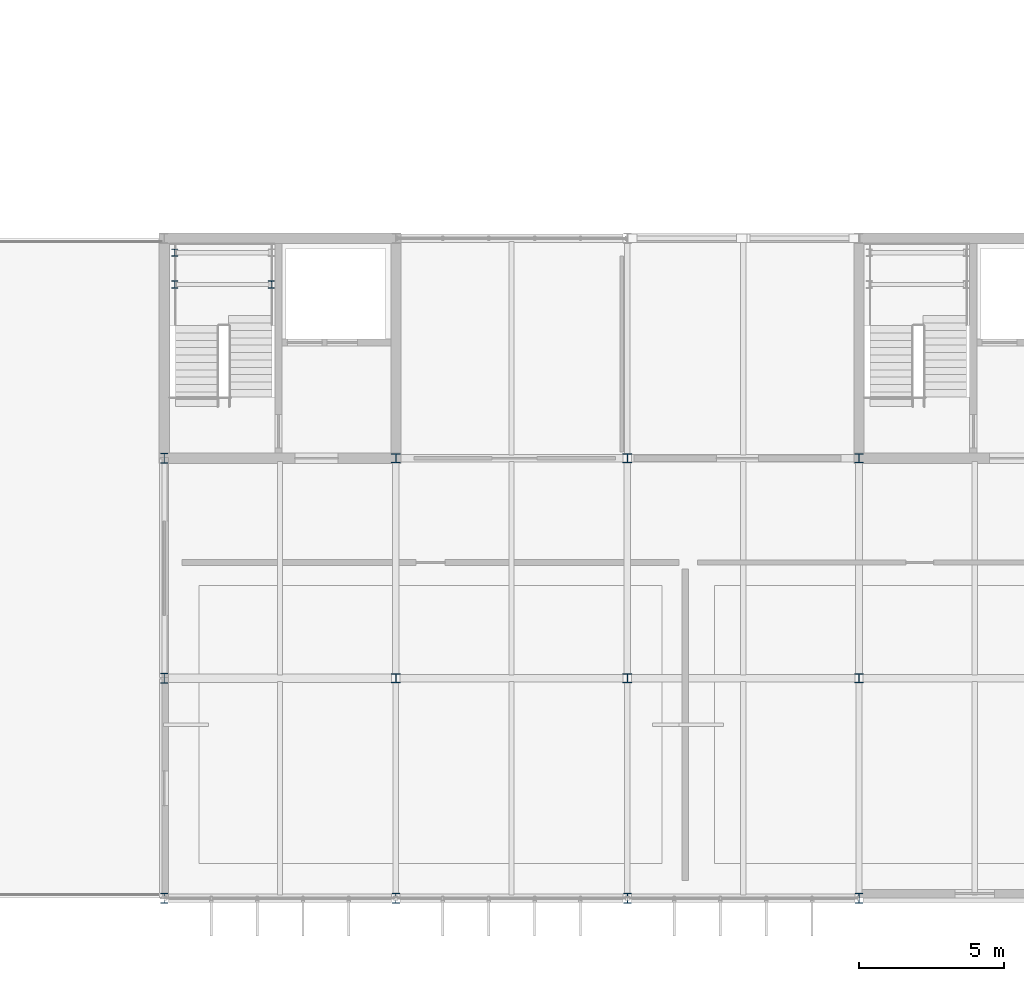
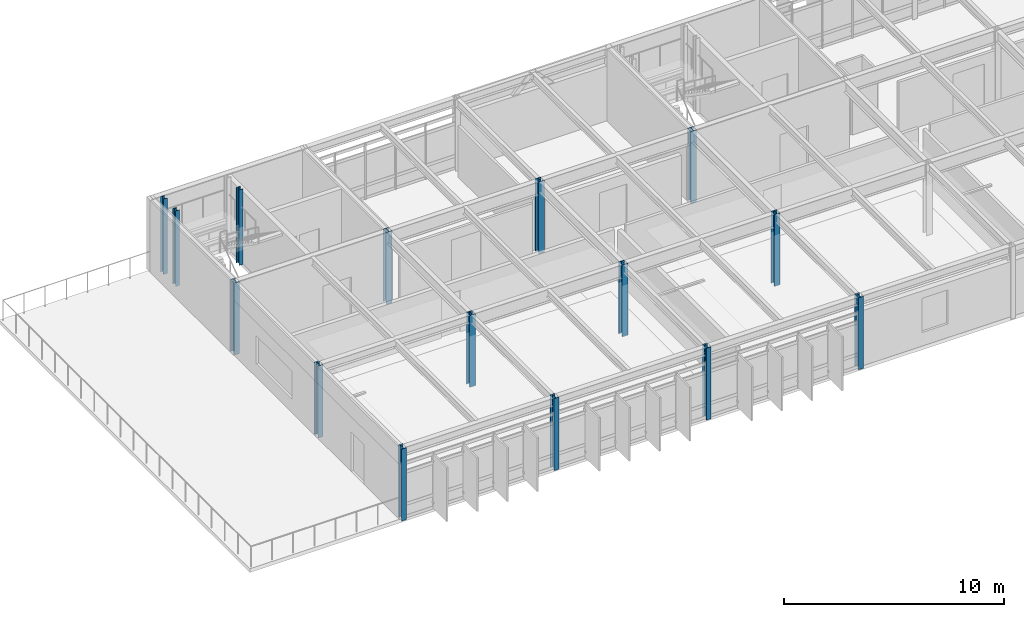
# One storey, part 1 of 21: 15 columns.
"""IFC4 building model written with IfcOpenShell, lengths in metres."""

from ifc_helpers import new_model, si_unit, direction, frame, origin, origin_2d, place, context, subcontext, project, spatial, i_section, extrude, material, material_profile, profile_set, type_object, element, save


model = new_model("IFC4")

# Units and contexts
model_context = context("Model", 3, precision=1e-05, world=origin(), true_north=direction((0.0, 1.0)))
body_context = subcontext(model_context, "Body", "Model", "MODEL_VIEW")
ifc_project = project(units=[si_unit("LENGTHUNIT", "METRE"), si_unit("AREAUNIT", "SQUARE_METRE"), si_unit("VOLUMEUNIT", "CUBIC_METRE"), si_unit("PLANEANGLEUNIT", "RADIAN"), si_unit("MASSUNIT", "GRAM", prefix="KILO")], contexts=[model_context])

# Site, building, storey
site_placement = place(None, origin())
site = spatial("IfcSite", under=ifc_project, at=site_placement, CompositionType="ELEMENT")
building_placement = place(site_placement, origin())
building = spatial("IfcBuilding", under=site, at=building_placement, Name="Zulena Civic Courthouse", CompositionType="ELEMENT")
storey_placement = place(building_placement, frame((0.0, 0.0, 37.800048828125)))
storey = spatial("IfcBuildingStorey", under=building, at=storey_placement, Name="L08", CompositionType="ELEMENT", Elevation=37.800048828125)

# Columns
ifc_material = material(Name="Steel ASTM A992 Grade 50", Category="steel")
ifc_material_profile_1 = material_profile(ifc_material, i_section(OverallWidth=0.2041015625, OverallDepth=0.257080078125, WebThickness=0.0087890625, FlangeThickness=0.015625, FilletRadius=0.0126953125, at=origin_2d()), Name="W10X45")
ifc_profile_set_1 = profile_set([ifc_material_profile_1], Name="Steel ASTM A992 Grade 50")
column_type_1 = type_object("IfcColumnType", Name="Col_W10X45", PredefinedType="COLUMN", material=ifc_profile_set_1)
for number, where, z_axis, x_axis, name in (
    (1, (20.360107421875, 21.199951171875, 0.0), (0.0, 0.0, 1.0), (1.0, 0.0, 0.0), "col:lnd:K2A:L08:0:0"),
    (2, (23.699951171875, 21.199951171875, 0.0), (0.0, 0.0, 1.0), (1.0, 0.0, 0.0), "col:lnd:K2A:L08:0:1"),
    (3, (20.360107421875, 22.300048828125, 0.0), (0.0, 0.0, 1.0), (1.0, 0.0, 0.0), "col:lnd:K2A:L08:1:0"),
):
    element("IfcColumn", number, at=place(storey_placement, frame(where, z_axis=z_axis, x_axis=x_axis)), inside=storey, type_object=column_type_1, Name=name, PredefinedType="COLUMN", context=body_context, shape_type="SweptSolid", body=[
        extrude(i_section(OverallWidth=0.2041015625, OverallDepth=0.257080078125, WebThickness=0.0087890625, FlangeThickness=0.015625, FilletRadius=0.0126953125, at=origin_2d()), origin(), (0.0, 0.0, 1.0), 4.195068359375),
    ])
ifc_material_profile_2 = material_profile(ifc_material, i_section(OverallWidth=0.306884765625, OverallDepth=0.31396484375, WebThickness=0.011962890625, FlangeThickness=0.018798828125, FilletRadius=0.01513671875, at=origin_2d()), Name="W12X79")
ifc_profile_set_2 = profile_set([ifc_material_profile_2], Name="Steel ASTM A992 Grade 50")
column_type_2 = type_object("IfcColumnType", Name="Col_W12X79", PredefinedType="COLUMN", material=ifc_profile_set_2)
for number, where, z_axis, x_axis, name in (
    (4, (28.0, 7.60009765625, 0.0), (0.0, 0.0, 1.0), (1.0, 0.0, 0.0), "col:V2:L08:28.0:7.6"),
    (5, (28.0, 15.199951171875, 0.0), (0.0, 0.0, 1.0), (1.0, 0.0, 0.0), "col:V2:L08:28.0:15.2"),
    (6, (36.0, 7.60009765625, 0.0), (0.0, 0.0, 1.0), (1.0, 0.0, 0.0), "col:V2:L08:36.0:7.6"),
    (7, (36.0, 15.199951171875, 0.0), (0.0, 0.0, 1.0), (1.0, 0.0, 0.0), "col:V2:L08:36.0:15.2"),
    (8, (44.0, 7.60009765625, 0.0), (0.0, 0.0, 1.0), (1.0, 0.0, 0.0), "col:V2:L08:44.0:7.6"),
    (9, (44.0, 15.199951171875, 0.0), (0.0, 0.0, 1.0), (1.0, 0.0, 0.0), "col:V2:L08:44.0:15.2"),
):
    element("IfcColumn", number, at=place(storey_placement, frame(where, z_axis=z_axis, x_axis=x_axis)), inside=storey, type_object=column_type_2, Name=name, PredefinedType="COLUMN", context=body_context, shape_type="SweptSolid", body=[
        extrude(i_section(OverallWidth=0.306884765625, OverallDepth=0.31396484375, WebThickness=0.011962890625, FlangeThickness=0.018798828125, FilletRadius=0.01513671875, at=origin_2d()), origin(), (0.0, 0.0, 1.0), 4.0),
    ])
ifc_material_profile_3 = material_profile(ifc_material, i_section(OverallWidth=0.2548828125, OverallDepth=0.35693359375, WebThickness=0.010498046875, FlangeThickness=0.018310546875, FilletRadius=0.01513671875, at=origin_2d()), Name="W14X68")
ifc_profile_set_3 = profile_set([ifc_material_profile_3], Name="Steel ASTM A992 Grade 50")
column_type_3 = type_object("IfcColumnType", Name="Col_W14X68", PredefinedType="COLUMN", material=ifc_profile_set_3)
for number, where, z_axis, x_axis, name in (
    (10, (20.0, 0.0, 0.0), (0.0, 0.0, 1.0), (1.0, 0.0, 0.0), "col:V2:L08:20.0:0.0"),
    (11, (20.0, 7.60009765625, 0.0), (0.0, 0.0, 1.0), (1.0, 0.0, 0.0), "col:V2:L08:20.0:7.6"),
    (12, (20.0, 15.199951171875, 0.0), (0.0, 0.0, 1.0), (1.0, 0.0, 0.0), "col:V2:L08:20.0:15.2"),
    (13, (28.0, 0.0, 0.0), (0.0, 0.0, 1.0), (1.0, 0.0, 0.0), "col:V2:L08:28.0:0.0"),
    (14, (36.0, 0.0, 0.0), (0.0, 0.0, 1.0), (1.0, 0.0, 0.0), "col:V2:L08:36.0:0.0"),
    (15, (44.0, 0.0, 0.0), (0.0, 0.0, 1.0), (1.0, 0.0, 0.0), "col:V2:L08:44.0:0.0"),
):
    element("IfcColumn", number, at=place(storey_placement, frame(where, z_axis=z_axis, x_axis=x_axis)), inside=storey, type_object=column_type_3, Name=name, PredefinedType="COLUMN", context=body_context, shape_type="SweptSolid", body=[
        extrude(i_section(OverallWidth=0.2548828125, OverallDepth=0.35693359375, WebThickness=0.010498046875, FlangeThickness=0.018310546875, FilletRadius=0.01513671875, at=origin_2d()), origin(), (0.0, 0.0, 1.0), 4.0),
    ])

save(model, "model.ifc")
